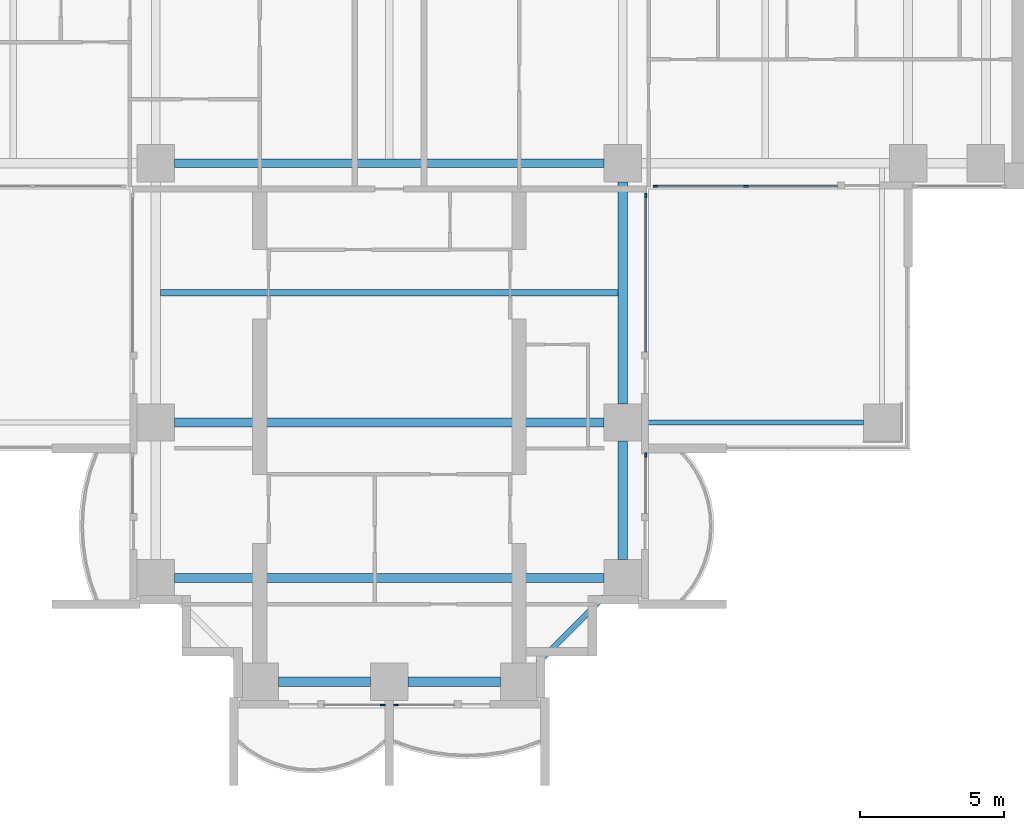
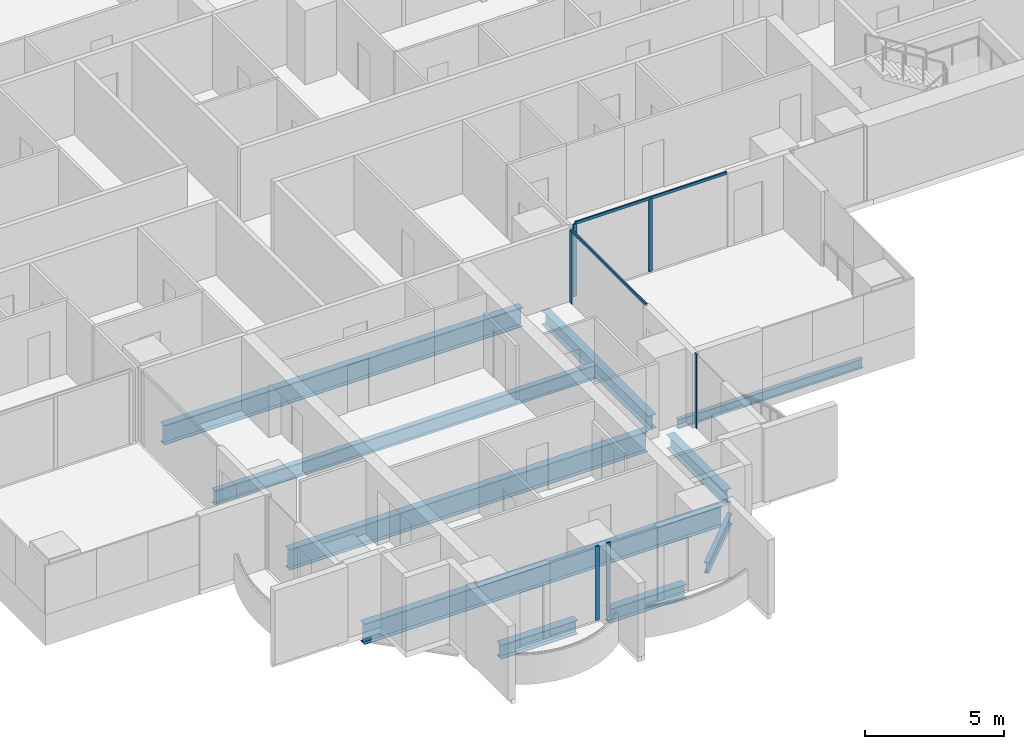
# One storey, part 3 of 20: 10 beams, 8 members, 5 elements without a shape of their own.
"""IFC4 building model written with IfcOpenShell, lengths in metres."""

import ifcopenshell
import ifcopenshell.guid

model = None  # the IFC model being written
_history = None  # IfcOwnerHistory: only IFC2X3 demands one
_inside = {}  # id of a spatial element -> (the spatial element, [elements in it])
_under = {}  # id of a project, library or spatial element -> (it, [spatial elements below it])
_declared = {}  # id of a project -> (the project, [libraries it declares])
_typed = {}  # id of a type object -> (the type object, [elements of that type])
_made_of = {}  # id of a material, layer set ... -> (it, [elements and type objects made of it])


def new_model(schema):
    """Start an empty IFC model of exactly this schema.

    Asked for "IFC4X3", IfcOpenShell would pick the latest addendum, in which some entities
    have other attributes; the version numbers below select the first issue.
    IFC2X3 requires an IfcOwnerHistory on every rooted entity: one is made here for all.
    """
    global model, _history
    if schema == "IFC4X3":
        model = ifcopenshell.file(schema_version=(4, 3, 0, 0))
    else:
        model = ifcopenshell.file(schema=schema)
    _inside.clear()
    _under.clear()
    _declared.clear()
    _typed.clear()
    _made_of.clear()
    _history = None
    if model.schema == "IFC2X3":
        org = make("IfcOrganization", Name="unknown")
        user = make(
            "IfcPersonAndOrganization",
            ThePerson=make("IfcPerson", FamilyName="unknown"),
            TheOrganization=org,
        )
        app = make(
            "IfcApplication",
            ApplicationDeveloper=org,
            Version="unknown",
            ApplicationFullName="unknown",
            ApplicationIdentifier="unknown",
        )
        _history = make(
            "IfcOwnerHistory",
            OwningUser=user,
            OwningApplication=app,
            ChangeAction="ADDED",
            CreationDate=0,
        )
    return model


def make(cls, **values):
    """One entity of the class cls with the attributes given. An attribute that is None is left unset."""
    return model.create_entity(
        cls, **{name: value for name, value in values.items() if value is not None}
    )


def rooted(cls, **values):
    """An entity with a GlobalId (a new one), such as an element, a storey or a relation."""
    return make(cls, GlobalId=ifcopenshell.guid.new(), OwnerHistory=_history, **values)


def si_unit(unit_type, name, prefix=None):
    """IfcSIUnit, for example si_unit("LENGTHUNIT", "METRE", prefix="MILLI")."""
    return make("IfcSIUnit", UnitType=unit_type, Prefix=prefix, Name=name)


def assignment(units):
    """IfcUnitAssignment: the units of a project."""
    return None if units is None else make("IfcUnitAssignment", Units=units)


def point(xyz):
    """IfcCartesianPoint."""
    return None if xyz is None else make("IfcCartesianPoint", Coordinates=xyz)


def direction(xyz):
    """IfcDirection."""
    return None if xyz is None else make("IfcDirection", DirectionRatios=xyz)


def frame(location, z_axis=None, x_axis=None):
    """IfcAxis2Placement3D, a coordinate frame: its origin and axes. An axis left out is left unset."""
    return make(
        "IfcAxis2Placement3D",
        Location=point(location),
        Axis=direction(z_axis),
        RefDirection=direction(x_axis),
    )


def frame_2d(location, x_axis=None):
    """IfcAxis2Placement2D, a coordinate frame in the plane: its origin and x axis."""
    return make(
        "IfcAxis2Placement2D", Location=point(location), RefDirection=direction(x_axis)
    )


def origin():
    """The frame at (0, 0, 0) with its axes left unset."""
    return frame((0.0, 0.0, 0.0))


def origin_2d():
    """The frame at (0, 0) in the plane with its x axis left unset."""
    return frame_2d((0.0, 0.0))


def place(relative_to, where):
    """IfcLocalPlacement: puts the frame where relative to a parent placement (None: the world)."""
    return make(
        "IfcLocalPlacement", PlacementRelTo=relative_to, RelativePlacement=where
    )


def context(
    kind, dimensions, precision=None, world=None, true_north=None, identifier=None
):
    """IfcGeometricRepresentationContext, for example the 3D "Model" context."""
    return make(
        "IfcGeometricRepresentationContext",
        ContextIdentifier=identifier,
        ContextType=kind,
        CoordinateSpaceDimension=dimensions,
        Precision=precision,
        WorldCoordinateSystem=world,
        TrueNorth=true_north,
    )


def subcontext(parent, identifier, kind, view, scale=None):
    """IfcGeometricRepresentationSubContext, for example "Body" below "Model"."""
    return make(
        "IfcGeometricRepresentationSubContext",
        ContextIdentifier=identifier,
        ContextType=kind,
        ParentContext=parent,
        TargetScale=scale,
        TargetView=view,
    )


def project(units=None, contexts=None):
    """IfcProject with its units and contexts."""
    return rooted(
        "IfcProject",
        Name="project",
        RepresentationContexts=contexts,
        UnitsInContext=assignment(units),
    )


def spatial(cls, under=None, at=None, **own):
    """A site, building, storey or space (cls), placed at a placement, below another one or the project."""
    s = rooted(cls, ObjectPlacement=at, **own)
    if under is not None:
        _under.setdefault(under.id(), (under, []))[1].append(s)
    return s


def profile(cls, at=None, kind="AREA", **sizes):
    """A parametric profile (cls). Its sizes go by their IFC names, for example OverallWidth=200.0."""
    return make(cls, ProfileType=kind, Position=at, **sizes)


def rectangle(**sizes):
    """IfcRectangleProfileDef."""
    return profile("IfcRectangleProfileDef", **sizes)


def i_section(**sizes):
    """IfcIShapeProfileDef."""
    return profile("IfcIShapeProfileDef", **sizes)


def extrude(swept, where, along, depth):
    """IfcExtrudedAreaSolid: the profile swept, set in the frame where, extruded along a direction by depth."""
    return make(
        "IfcExtrudedAreaSolid",
        SweptArea=swept,
        Position=where,
        ExtrudedDirection=direction(along),
        Depth=depth,
    )


def shape(context_of_items, identifier, shape_type, items):
    """IfcShapeRepresentation: the items that make up one representation, for example the "Body"."""
    return make(
        "IfcShapeRepresentation",
        ContextOfItems=context_of_items,
        RepresentationIdentifier=identifier,
        RepresentationType=shape_type,
        Items=items,
    )


def material(Name=None, Category=None):
    """IfcMaterial."""
    return make("IfcMaterial", Name=Name, Category=Category)


def material_profile(
    of_material, cross_section, Name=None, Category=None, Priority=None
):
    """IfcMaterialProfile: a cross section and its material."""
    return make(
        "IfcMaterialProfile",
        Name=Name,
        Material=of_material,
        Profile=cross_section,
        Priority=Priority,
        Category=Category,
    )


def profile_set(profiles, Name=None, composite=None):
    """IfcMaterialProfileSet."""
    return make(
        "IfcMaterialProfileSet",
        Name=Name,
        MaterialProfiles=profiles,
        CompositeProfile=composite,
    )


def made_of(thing, what):
    """Note that an element or type object is made of a material, layer set ...; save() writes the relation."""
    if what is not None:
        _made_of.setdefault(what.id(), (what, []))[1].append(thing)
    return thing


def type_object(cls, material=None, **own):
    """A type object (cls), such as IfcWallType, which elements share."""
    return made_of(rooted(cls, **own), material)


def element(
    cls,
    number,
    at=None,
    inside=None,
    cuts=None,
    type_object=None,
    material=None,
    context=None,
    identifier="Body",
    shape_type=None,
    held_by="IfcProductDefinitionShape",
    body=None,
    shapes=None,
    **own,
):
    """One element of the class cls, such as IfcWall. Its Tag is "e" and its number.

    at: its placement. inside: the storey or other place that contains it. cuts: it is an
    opening in that element (IfcRelVoidsElement). A single representation is given by context,
    identifier, shape_type and body (its items); several are given by shapes. held_by: the class
    of the entity that holds the representations. save() writes the other relations.
    """
    e = rooted(cls, Tag="e%d" % number, ObjectPlacement=at, **own)
    if body is not None:
        shapes = [shape(context, identifier, shape_type, body)]
    if shapes is not None:
        e.Representation = make(held_by, Representations=shapes)
    if inside is not None:
        _inside.setdefault(inside.id(), (inside, []))[1].append(e)
    if cuts is not None:
        rooted(
            "IfcRelVoidsElement", RelatingBuildingElement=cuts, RelatedOpeningElement=e
        )
    if type_object is not None:
        _typed.setdefault(type_object.id(), (type_object, []))[1].append(e)
    return made_of(e, material)


def aggregate(whole, parts):
    """IfcRelAggregates: a whole, such as a stair, and the parts it consists of."""
    return rooted("IfcRelAggregates", RelatingObject=whole, RelatedObjects=parts)


def save(model, path):
    """Write the relations noted so far, then the file.

    IfcRelAggregates (storeys below a building ...), IfcRelContainedInSpatialStructure (elements
    in a storey), IfcRelDefinesByType, IfcRelAssociatesMaterial and IfcRelDeclares: one each for
    every whole, place, type object, material and project.
    """
    for whole, parts in _under.values():
        aggregate(whole, parts)
    for where, things in _inside.values():
        rooted(
            "IfcRelContainedInSpatialStructure",
            RelatedElements=things,
            RelatingStructure=where,
        )
    for kind, things in _typed.values():
        rooted("IfcRelDefinesByType", RelatedObjects=things, RelatingType=kind)
    for what, things in _made_of.values():
        rooted("IfcRelAssociatesMaterial", RelatedObjects=things, RelatingMaterial=what)
    for by, libraries in _declared.values():
        rooted("IfcRelDeclares", RelatingContext=by, RelatedDefinitions=libraries)
    model.write(path)


model = new_model("IFC4")

# Units and contexts
model_context = context("Model", 3, precision=1e-05, world=origin(), true_north=direction((0.0, 1.0)))
body_context = subcontext(model_context, "Body", "Model", "MODEL_VIEW")
ifc_project = project(units=[si_unit("LENGTHUNIT", "METRE"), si_unit("AREAUNIT", "SQUARE_METRE"), si_unit("VOLUMEUNIT", "CUBIC_METRE"), si_unit("PLANEANGLEUNIT", "RADIAN"), si_unit("MASSUNIT", "GRAM", prefix="KILO")], contexts=[model_context])

# Site, building, storey
site_placement = place(None, origin())
site = spatial("IfcSite", under=ifc_project, at=site_placement, CompositionType="ELEMENT")
building_placement = place(site_placement, origin())
building = spatial("IfcBuilding", under=site, at=building_placement, Name="Perihelion Cross Residences", CompositionType="ELEMENT")
storey_placement = place(building_placement, frame((0.0, 0.0, 71.5)))
storey = spatial("IfcBuildingStorey", under=building, at=storey_placement, Name="L15", CompositionType="ELEMENT", Elevation=71.5)

# Curtain wall, member
ifc_material_1 = material(Name="Bronze anodised aluminium, tinted glazing", Category="aluminium")
curtain_wall_type = type_object("IfcCurtainWallType", Name="CW1", PredefinedType="NOTDEFINED", material=ifc_material_1)
curtain_wall_1_placement = place(storey_placement, origin())
curtain_wall_1 = element("IfcCurtainWall", 1, at=curtain_wall_1_placement, inside=storey, type_object=curtain_wall_type, Name="Curtain wall CW1 L15 south tip south bay 1", PredefinedType="NOTDEFINED")
ifc_material_2 = material(Name="Bronze anodised aluminium", Category="aluminium")
ifc_material_profile_1 = material_profile(ifc_material_2, rectangle(XDim=0.06005859375, YDim=0.159912109375, at=origin_2d()), Name="CW1 mullion")
ifc_profile_set_1 = profile_set([ifc_material_profile_1], Name="Bronze anodised aluminium")
member_type_1 = type_object("IfcMemberType", Name="CW1 mullion", PredefinedType="MULLION", material=ifc_profile_set_1)
member_1_placement = place(storey_placement, frame((-0.22998046875, -26.89990234375, 0.0), z_axis=(0.0, 0.0, 1.0), x_axis=(0.0, 1.0, 0.0)))
member_1 = element("IfcMember", 2, at=member_1_placement, type_object=member_type_1, Name="CW1 mullion 2", PredefinedType="MULLION", context=body_context, shape_type="SweptSolid", body=[
    extrude(rectangle(XDim=0.06005859375, YDim=0.159912109375, at=origin_2d()), origin(), (0.0, 0.0, 1.0), 3.25),
])
aggregate(curtain_wall_1, [member_1])

curtain_wall_2_placement = place(storey_placement, origin())
curtain_wall_2 = element("IfcCurtainWall", 3, at=curtain_wall_2_placement, inside=storey, type_object=curtain_wall_type, Name="Curtain wall CW1 L15 south tip south bay 2", PredefinedType="NOTDEFINED")
member_2_placement = place(storey_placement, frame((0.22998046875, -26.89990234375, 0.0), z_axis=(0.0, 0.0, 1.0), x_axis=(0.0, 1.0, 0.0)))
member_2 = element("IfcMember", 4, at=member_2_placement, type_object=member_type_1, Name="CW1 mullion 1", PredefinedType="MULLION", context=body_context, shape_type="SweptSolid", body=[
    extrude(rectangle(XDim=0.06005859375, YDim=0.159912109375, at=origin_2d()), origin(), (0.0, 0.0, 1.0), 3.25),
])
aggregate(curtain_wall_2, [member_2])

curtain_wall_3_placement = place(storey_placement, origin())
curtain_wall_3 = element("IfcCurtainWall", 5, at=curtain_wall_3_placement, inside=storey, type_object=curtain_wall_type, Name="Curtain wall CW1 L15 south side east bay 1", PredefinedType="NOTDEFINED")
member_3_placement = place(storey_placement, frame((8.89990234375, -18.22998046875, 0.0), z_axis=(0.0, 0.0, 1.0), x_axis=(-1.0, 0.0, 0.0)))
member_3 = element("IfcMember", 6, at=member_3_placement, type_object=member_type_1, Name="CW1 mullion 2", PredefinedType="MULLION", context=body_context, shape_type="SweptSolid", body=[
    extrude(rectangle(XDim=0.06005859375, YDim=0.159912109375, at=origin_2d()), origin(), (0.0, 0.0, 1.0), 3.25),
])
aggregate(curtain_wall_3, [member_3])

curtain_wall_4_placement = place(storey_placement, origin())
curtain_wall_4 = element("IfcCurtainWall", 7, at=curtain_wall_4_placement, inside=storey, type_object=curtain_wall_type, Name="Curtain wall CW1 L15 south side east bay 2", PredefinedType="NOTDEFINED")
member_4_placement = place(storey_placement, frame((8.89990234375, -9.22998046875, 0.0), z_axis=(0.0, 0.0, 1.0), x_axis=(-1.0, 0.0, 0.0)))
member_4 = element("IfcMember", 8, at=member_4_placement, type_object=member_type_1, Name="CW1 mullion 2", PredefinedType="MULLION", context=body_context, shape_type="SweptSolid", body=[
    extrude(rectangle(XDim=0.06005859375, YDim=0.159912109375, at=origin_2d()), origin(), (0.0, 0.0, 1.0), 3.18994140625),
])

# Curtain wall, members
curtain_wall_5_placement = place(storey_placement, origin())
curtain_wall_5 = element("IfcCurtainWall", 9, at=curtain_wall_5_placement, inside=storey, type_object=curtain_wall_type, Name="Curtain wall CW1 L15 east side south bay 1", PredefinedType="NOTDEFINED")
member_5_placement = place(storey_placement, frame((9.22998046875, -8.89990234375, 0.0), z_axis=(0.0, 0.0, 1.0), x_axis=(0.0, 1.0, 0.0)))
member_5 = element("IfcMember", 10, at=member_5_placement, type_object=member_type_1, Name="CW1 mullion 1", PredefinedType="MULLION", context=body_context, shape_type="SweptSolid", body=[
    extrude(rectangle(XDim=0.06005859375, YDim=0.159912109375, at=origin_2d()), origin(), (0.0, 0.0, 1.0), 3.18994140625),
])
member_6_placement = place(storey_placement, frame((12.375, -8.89990234375, 0.0), z_axis=(0.0, 0.0, 1.0), x_axis=(0.0, 1.0, 0.0)))
member_6 = element("IfcMember", 11, at=member_6_placement, type_object=member_type_1, Name="CW1 mullion 2", PredefinedType="MULLION", context=body_context, shape_type="SweptSolid", body=[
    extrude(rectangle(XDim=0.06005859375, YDim=0.159912109375, at=origin_2d()), origin(), (0.0, 0.0, 1.0), 3.18994140625),
])

# Member
ifc_material_3 = material(Name="Bronze anodised aluminium", Category="aluminium")
ifc_material_profile_2 = material_profile(ifc_material_3, rectangle(XDim=0.06005859375, YDim=0.1201171875, at=origin_2d()), Name="CW1 transom")
ifc_profile_set_2 = profile_set([ifc_material_profile_2], Name="Bronze anodised aluminium")
member_type_2 = type_object("IfcMemberType", Name="CW1 transom", PredefinedType="USERDEFINED", material=ifc_profile_set_2)
member_7_placement = place(storey_placement, frame((8.89990234375, -14.64990234375, 3.219970703125), z_axis=(0.0, 1.0, 0.0), x_axis=(-1.0, 0.0, 0.0)))
member_7 = element("IfcMember", 12, at=member_7_placement, type_object=member_type_2, Name="CW1 head transom", ObjectType="TRANSOM", PredefinedType="USERDEFINED", context=body_context, shape_type="SweptSolid", body=[
    extrude(rectangle(XDim=0.06005859375, YDim=0.1201171875, at=origin_2d()), origin(), (0.0, 0.0, 1.0), 5.419921875),
])

aggregate(curtain_wall_4, [member_4, member_7])

member_8_placement = place(storey_placement, frame((9.22998046875, -8.89990234375, 3.219970703125), z_axis=(1.0, 0.0, 0.0), x_axis=(0.0, 1.0, 0.0)))
member_8 = element("IfcMember", 13, at=member_8_placement, type_object=member_type_2, Name="CW1 head transom", ObjectType="TRANSOM", PredefinedType="USERDEFINED", context=body_context, shape_type="SweptSolid", body=[
    extrude(rectangle(XDim=0.06005859375, YDim=0.1201171875, at=origin_2d()), origin(), (0.0, 0.0, 1.0), 6.320068359375),
])

aggregate(curtain_wall_5, [member_5, member_6, member_8])

# Beams
ifc_material_4 = material(Name="Steel S355", Category="steel")
ifc_material_profile_3 = material_profile(ifc_material_4, i_section(OverallWidth=0.177978515625, OverallDepth=0.406005859375, WebThickness=0.0078125, FlangeThickness=0.0126953125, at=origin_2d()), Name="W410x60")
ifc_profile_set_3 = profile_set([ifc_material_profile_3], Name="Steel S355")
beam_type_1 = type_object("IfcBeamType", Name="Core edge beam W410x60", PredefinedType="BEAM", material=ifc_profile_set_3)
beam_1_placement = place(storey_placement, frame((8.75, -17.10009765625, -0.452880859375), z_axis=(1.0, 0.0, 0.0), x_axis=(0.0, 1.0, 0.0)))
element("IfcBeam", 14, at=beam_1_placement, inside=storey, type_object=beam_type_1, Name="Core edge beam TB2 L15 corner no. 6", PredefinedType="BEAM", context=body_context, shape_type="SweptSolid", body=[
    extrude(i_section(OverallWidth=0.177978515625, OverallDepth=0.406005859375, WebThickness=0.0078125, FlangeThickness=0.0126953125, at=origin_2d()), origin(), (0.0, 0.0, 1.0), 7.699951171875),
])
ifc_material_5 = material(Name="Steel S355", Category="steel")
ifc_material_profile_4 = material_profile(ifc_material_5, i_section(OverallWidth=0.324951171875, OverallDepth=0.616943359375, WebThickness=0.013916015625, FlangeThickness=0.021484375, at=origin_2d()), Name="W610x174")
ifc_profile_set_4 = profile_set([ifc_material_profile_4], Name="Steel S355")
beam_type_2 = type_object("IfcBeamType", Name="Edge beam W610x174", PredefinedType="SPANDREL", material=ifc_profile_set_4)
for number, where, z_axis, x_axis, name in (
    (15, (-3.85009765625, -26.10009765625, -0.55859375), (1.0, 0.0, 0.0), (0.0, 1.0, 0.0), "Edge beam SB2 L15 no. 4"),
    (16, (0.64990234375, -26.10009765625, -0.55859375), (1.0, 0.0, 0.0), (0.0, 1.0, 0.0), "Edge beam SB2 L15 no. 10"),
):
    element("IfcBeam", number, at=place(storey_placement, frame(where, z_axis=z_axis, x_axis=x_axis)), inside=storey, type_object=beam_type_2, Name=name, PredefinedType="SPANDREL", context=body_context, shape_type="SweptSolid", body=[
        extrude(i_section(OverallWidth=0.324951171875, OverallDepth=0.616943359375, WebThickness=0.013916015625, FlangeThickness=0.021484375, at=origin_2d()), origin(), (0.0, 0.0, 1.0), 3.2001953125),
    ])
beam_2_placement = place(storey_placement, frame((8.10009765625, -21.85009765625, -0.55859375), z_axis=(0.0, 1.0, 0.0), x_axis=(-1.0, 0.0, 0.0)))
element("IfcBeam", 17, at=beam_2_placement, inside=storey, type_object=beam_type_2, Name="Edge beam SB2 L15 no. 17", PredefinedType="SPANDREL", context=body_context, shape_type="SweptSolid", body=[
    extrude(i_section(OverallWidth=0.324951171875, OverallDepth=0.616943359375, WebThickness=0.013916015625, FlangeThickness=0.021484375, at=origin_2d()), origin(), (0.0, 0.0, 1.0), 4.10009765625),
])
beam_3_placement = place(storey_placement, frame((8.10009765625, -16.449951171875, -0.55859375), z_axis=(0.0, 1.0, 0.0), x_axis=(-1.0, 0.0, 0.0)))
element("IfcBeam", 18, at=beam_3_placement, inside=storey, type_object=beam_type_2, Name="Edge beam SB2 L15 no. 16", PredefinedType="SPANDREL", context=body_context, shape_type="SweptSolid", body=[
    extrude(i_section(OverallWidth=0.324951171875, OverallDepth=0.616943359375, WebThickness=0.013916015625, FlangeThickness=0.021484375, at=origin_2d()), origin(), (0.0, 0.0, 1.0), 7.699951171875),
])
ifc_material_6 = material(Name="Steel S355", Category="steel")
ifc_material_profile_5 = material_profile(ifc_material_6, i_section(OverallWidth=0.304931640625, OverallDepth=0.904052734375, WebThickness=0.01513671875, FlangeThickness=0.02001953125, at=origin_2d()), Name="W920x201")
ifc_profile_set_5 = profile_set([ifc_material_profile_5], Name="Steel S355")
beam_type_3 = type_object("IfcBeamType", Name="Floor girder W920x201", PredefinedType="BEAM", material=ifc_profile_set_5)
for number, where, z_axis, x_axis, name in (
    (19, (-7.449951171875, -17.10009765625, -0.701904296875), (1.0, 0.0, 0.0), (0.0, 1.0, 0.0), "Girder G2 L15 no. 3"),
    (20, (-7.449951171875, -22.5, -0.701904296875), (1.0, 0.0, 0.0), (0.0, 1.0, 0.0), "Girder G2 L15 no. 4"),
):
    element("IfcBeam", number, at=place(storey_placement, frame(where, z_axis=z_axis, x_axis=x_axis)), inside=storey, type_object=beam_type_3, Name=name, PredefinedType="BEAM", context=body_context, shape_type="SweptSolid", body=[
        extrude(i_section(OverallWidth=0.304931640625, OverallDepth=0.904052734375, WebThickness=0.01513671875, FlangeThickness=0.02001953125, at=origin_2d()), origin(), (0.0, 0.0, 1.0), 14.89990234375),
    ])
ifc_material_7 = material(Name="Steel S355", Category="steel")
ifc_material_profile_6 = material_profile(ifc_material_7, i_section(OverallWidth=0.22900390625, OverallDepth=0.612060546875, WebThickness=0.011962890625, FlangeThickness=0.01953125, at=origin_2d()), Name="W610x125")
ifc_profile_set_6 = profile_set([ifc_material_profile_6], Name="Steel S355")
beam_type_4 = type_object("IfcBeamType", Name="Floor joist W610x125", PredefinedType="JOIST", material=ifc_profile_set_6)
beam_4_placement = place(storey_placement, frame((-7.9375, -12.60009765625, -0.555908203125), z_axis=(1.0, 0.0, 0.0), x_axis=(0.0, 1.0, 0.0)))
element("IfcBeam", 21, at=beam_4_placement, inside=storey, type_object=beam_type_4, Name="Joist J3 L15 no. 3", PredefinedType="JOIST", context=body_context, shape_type="SweptSolid", body=[
    extrude(i_section(OverallWidth=0.22900390625, OverallDepth=0.612060546875, WebThickness=0.011962890625, FlangeThickness=0.01953125, at=origin_2d()), origin(), (0.0, 0.0, 1.0), 15.875),
])
ifc_material_8 = material(Name="Steel S355", Category="steel")
ifc_material_profile_7 = material_profile(ifc_material_8, i_section(OverallWidth=0.2919921875, OverallDepth=0.85888671875, WebThickness=0.01708984375, FlangeThickness=0.031005859375, at=origin_2d()), Name="W840x251")
ifc_profile_set_7 = profile_set([ifc_material_profile_7], Name="Steel S355")
beam_type_5 = type_object("IfcBeamType", Name="Hub ring girder W840x251", PredefinedType="BEAM", material=ifc_profile_set_7)
beam_5_placement = place(storey_placement, frame((-7.449951171875, -8.10009765625, -0.679443359375), z_axis=(1.0, 0.0, 0.0), x_axis=(0.0, 1.0, 0.0)))
element("IfcBeam", 22, at=beam_5_placement, inside=storey, type_object=beam_type_5, Name="Hub ring girder RG2 L15 no. 1", PredefinedType="BEAM", context=body_context, shape_type="SweptSolid", body=[
    extrude(i_section(OverallWidth=0.2919921875, OverallDepth=0.85888671875, WebThickness=0.01708984375, FlangeThickness=0.031005859375, at=origin_2d()), origin(), (0.0, 0.0, 1.0), 14.89990234375),
])
ifc_material_9 = material(Name="Steel S355", Category="steel")
ifc_material_profile_8 = material_profile(ifc_material_9, i_section(OverallWidth=0.194091796875, OverallDepth=0.469970703125, WebThickness=0.0126953125, FlangeThickness=0.0205078125, at=origin_2d()), Name="W460x106")
ifc_profile_set_8 = profile_set([ifc_material_profile_8], Name="Steel S355")
beam_type_6 = type_object("IfcBeamType", Name="Serration edge beam W460x106", PredefinedType="BEAM", material=ifc_profile_set_8)
beam_6_placement = place(storey_placement, frame((5.14990234375, -25.449951171875, -0.485107421875), z_axis=(0.707106781187, 0.707106781187, 0.0), x_axis=(-0.707106781187, 0.707106781187, 0.0)))
element("IfcBeam", 23, at=beam_6_placement, inside=storey, type_object=beam_type_6, Name="Serration edge beam EB2 L15 no. 3", PredefinedType="BEAM", context=body_context, shape_type="SweptSolid", body=[
    extrude(i_section(OverallWidth=0.194091796875, OverallDepth=0.469970703125, WebThickness=0.0126953125, FlangeThickness=0.0205078125, at=origin_2d()), origin(), (0.0, 0.0, 1.0), 3.252685546875),
])

save(model, "model.ifc")
